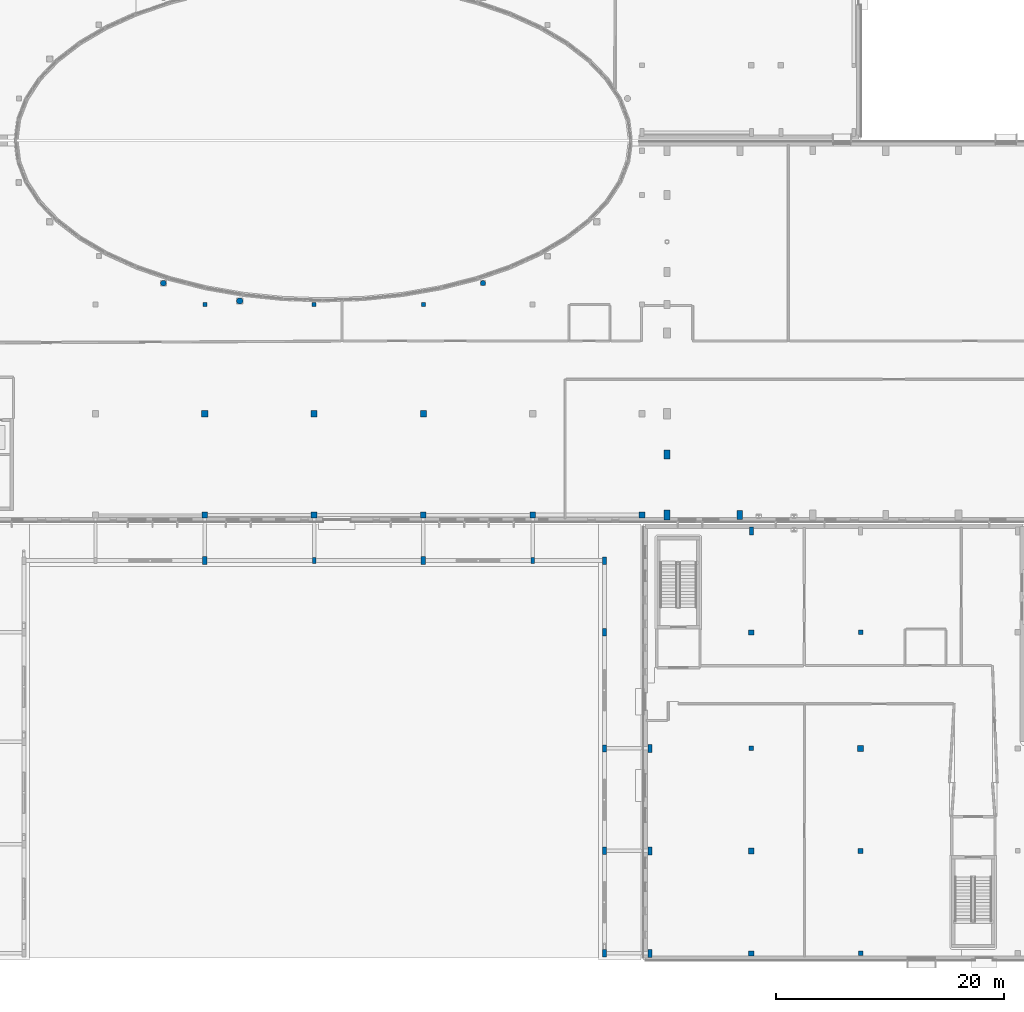
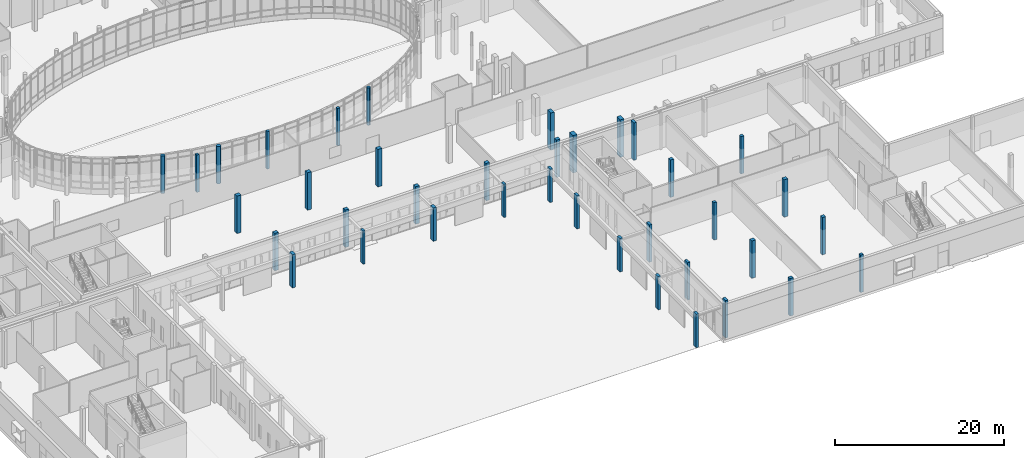
# One storey, part 3 of 84: 38 columns.
"""IFC4 building model written with IfcOpenShell, lengths in metres."""

from ifc_helpers import new_model, si_unit, direction, frame, origin, origin_2d, place, context, subcontext, project, spatial, rectangle, circle, extrude, material, material_profile, profile_set, type_object, element, save


model = new_model("IFC4")

# Units and contexts
model_context = context("Model", 3, precision=1e-05, world=origin(), true_north=direction((0.0, 1.0)))
body_context = subcontext(model_context, "Body", "Model", "MODEL_VIEW")
ifc_project = project(units=[si_unit("LENGTHUNIT", "METRE"), si_unit("AREAUNIT", "SQUARE_METRE"), si_unit("VOLUMEUNIT", "CUBIC_METRE"), si_unit("PLANEANGLEUNIT", "RADIAN"), si_unit("MASSUNIT", "GRAM", prefix="KILO")], contexts=[model_context])

# Site, building, storey
site_placement = place(None, origin())
site = spatial("IfcSite", under=ifc_project, at=site_placement, CompositionType="ELEMENT")
building_placement = place(site_placement, origin())
building = spatial("IfcBuilding", under=site, at=building_placement, Name="Mzevani Central Library", CompositionType="ELEMENT")
storey_placement = place(building_placement, origin())
storey = spatial("IfcBuildingStorey", under=building, at=storey_placement, Name="L00", CompositionType="ELEMENT", Elevation=0.0)

# Columns
ifc_material_1 = material(Name="Precast concrete C40/50", Category="concrete")
ifc_material_profile_1 = material_profile(ifc_material_1, rectangle(XDim=0.300048828125, YDim=0.550048828125, at=origin_2d()), Name="PC PIL 300x550")
ifc_profile_set_1 = profile_set([ifc_material_profile_1], Name="Precast concrete C40/50")
column_type_1 = type_object("IfcColumnType", Name="Colonnade Pilaster 300x550", PredefinedType="PILASTER", material=ifc_profile_set_1)
for number, where, z_axis, x_axis, name in (
    (1, (83.199951171875, 39.10009765625, 0.0), (0.0, 0.0, 1.0), (1.0, 0.0, 0.0), "L00 Mzevani Square Colonnade Pier 13"),
    (2, (102.39990234375, 39.10009765625, 0.0), (0.0, 0.0, 1.0), (1.0, 0.0, 0.0), "L00 Mzevani Square Colonnade Pier 15"),
):
    element("IfcColumn", number, at=place(storey_placement, frame(where, z_axis=z_axis, x_axis=x_axis)), inside=storey, type_object=column_type_1, Name=name, PredefinedType="PILASTER", context=body_context, shape_type="SweptSolid", body=[
        extrude(rectangle(XDim=0.300048828125, YDim=0.550048828125, at=origin_2d()), origin(), (0.0, 0.0, 1.0), 4.800048828125),
    ])
ifc_material_profile_2 = material_profile(ifc_material_1, rectangle(XDim=0.35009765625, YDim=0.64990234375, at=origin_2d()), Name="PC PIL 350x650")
ifc_profile_set_2 = profile_set([ifc_material_profile_2], Name="Precast concrete C40/50")
column_type_2 = type_object("IfcColumnType", Name="Colonnade Pilaster 350x650", PredefinedType="PILASTER", material=ifc_profile_set_2)
for number, where, z_axis, x_axis, name in (
    (3, (108.699951171875, 4.60009765625, 0.0), (0.0, 0.0, 1.0), (1.0, 0.0, 0.0), "L00 Mzevani Square Colonnade Pier 06"),
    (4, (108.699951171875, 13.60009765625, 0.0), (0.0, 0.0, 1.0), (1.0, 0.0, 0.0), "L00 Mzevani Square Colonnade Pier 07"),
    (5, (108.699951171875, 22.60009765625, 0.0), (0.0, 0.0, 1.0), (1.0, 0.0, 0.0), "L00 Mzevani Square Colonnade Pier 08"),
    (6, (108.699951171875, 32.800048828125, 0.0), (0.0, 0.0, 1.0), (1.0, 0.0, 0.0), "L00 Mzevani Square Colonnade Pier 09"),
    (7, (108.699951171875, 39.10009765625, 0.0), (0.0, 0.0, 1.0), (1.0, 0.0, 0.0), "L00 Mzevani Square Colonnade Pier 10"),
):
    element("IfcColumn", number, at=place(storey_placement, frame(where, z_axis=z_axis, x_axis=x_axis)), inside=storey, type_object=column_type_2, Name=name, PredefinedType="PILASTER", context=body_context, shape_type="SweptSolid", body=[
        extrude(rectangle(XDim=0.35009765625, YDim=0.64990234375, at=origin_2d()), origin(), (0.0, 0.0, 1.0), 4.800048828125),
    ])
ifc_material_profile_3 = material_profile(ifc_material_1, rectangle(XDim=0.39990234375, YDim=0.699951171875, at=origin_2d()), Name="PC PIL 400x700")
ifc_profile_set_3 = profile_set([ifc_material_profile_3], Name="Precast concrete C40/50")
column_type_3 = type_object("IfcColumnType", Name="Colonnade Pilaster 400x700", PredefinedType="PILASTER", material=ifc_profile_set_3)
for number, where, z_axis, x_axis, name in (
    (8, (73.60009765625, 39.10009765625, 0.0), (0.0, 0.0, 1.0), (1.0, 0.0, 0.0), "L00 Mzevani Square Colonnade Pier 12"),
    (9, (92.800048828125, 39.10009765625, 0.0), (0.0, 0.0, 1.0), (1.0, 0.0, 0.0), "L00 Mzevani Square Colonnade Pier 14"),
):
    element("IfcColumn", number, at=place(storey_placement, frame(where, z_axis=z_axis, x_axis=x_axis)), inside=storey, type_object=column_type_3, Name=name, PredefinedType="PILASTER", context=body_context, shape_type="SweptSolid", body=[
        extrude(rectangle(XDim=0.39990234375, YDim=0.699951171875, at=origin_2d()), origin(), (0.0, 0.0, 1.0), 4.800048828125),
    ])
ifc_material_2 = material(Name="Concrete C40/50", Category="concrete")
ifc_material_profile_4 = material_profile(ifc_material_2, rectangle(XDim=0.35009765625, YDim=0.35009765625, at=origin_2d()), Name="RC 350x350")
ifc_profile_set_4 = profile_set([ifc_material_profile_4], Name="Concrete C40/50")
column_type_4 = type_object("IfcColumnType", Name="Column RC 350x350", PredefinedType="COLUMN", material=ifc_profile_set_4)
for number, where, z_axis, x_axis, name in (
    (10, (73.60009765625, 61.60009765625, 0.0), (0.0, 0.0, 1.0), (1.0, 0.0, 0.0), "L00 V1 Column C-01 (12)"),
    (11, (83.199951171875, 61.60009765625, 0.0), (0.0, 0.0, 1.0), (1.0, 0.0, 0.0), "L00 V1 Column C-01 (15)"),
    (12, (92.800048828125, 61.60009765625, 0.0), (0.0, 0.0, 1.0), (1.0, 0.0, 0.0), "L00 V1 Column C-01 (18)"),
):
    element("IfcColumn", number, at=place(storey_placement, frame(where, z_axis=z_axis, x_axis=x_axis)), inside=storey, type_object=column_type_4, Name=name, PredefinedType="COLUMN", context=body_context, shape_type="SweptSolid", body=[
        extrude(rectangle(XDim=0.35009765625, YDim=0.35009765625, at=origin_2d()), origin(), (0.0, 0.0, 1.0), 5.39990234375),
    ])
ifc_material_profile_5 = material_profile(ifc_material_2, rectangle(XDim=0.39990234375, YDim=0.39990234375, at=origin_2d()), Name="RC 400x400")
ifc_profile_set_5 = profile_set([ifc_material_profile_5], Name="Concrete C40/50")
column_type_5 = type_object("IfcColumnType", Name="Column RC 400x400", PredefinedType="COLUMN", material=ifc_profile_set_5)
for number, where, z_axis, x_axis, name in (
    (13, (121.60009765625, 22.60009765625, 0.0), (0.0, 0.0, 1.0), (1.0, 0.0, 0.0), "L00 V6 Column C-02 (216)"),
    (14, (131.199951171875, 4.60009765625, 0.0), (0.0, 0.0, 1.0), (1.0, 0.0, 0.0), "L00 V6 Column C-02 (219)"),
    (15, (131.199951171875, 32.800048828125, 0.0), (0.0, 0.0, 1.0), (1.0, 0.0, 0.0), "L00 V6 Column C-02 (222)"),
):
    element("IfcColumn", number, at=place(storey_placement, frame(where, z_axis=z_axis, x_axis=x_axis)), inside=storey, type_object=column_type_5, Name=name, PredefinedType="COLUMN", context=body_context, shape_type="SweptSolid", body=[
        extrude(rectangle(XDim=0.39990234375, YDim=0.39990234375, at=origin_2d()), origin(), (0.0, 0.0, 1.0), 5.39990234375),
    ])
ifc_material_profile_6 = material_profile(ifc_material_2, rectangle(XDim=0.449951171875, YDim=0.449951171875, at=origin_2d()), Name="RC 450x450")
ifc_profile_set_6 = profile_set([ifc_material_profile_6], Name="Concrete C40/50")
column_type_6 = type_object("IfcColumnType", Name="Column RC 450x450", PredefinedType="COLUMN", material=ifc_profile_set_6)
for number, where, z_axis, x_axis, name in (
    (16, (121.60009765625, 4.60009765625, 0.0), (0.0, 0.0, 1.0), (1.0, 0.0, 0.0), "L00 V6 Column C-03 (214)"),
    (17, (121.60009765625, 32.800048828125, 0.0), (0.0, 0.0, 1.0), (1.0, 0.0, 0.0), "L00 V6 Column C-03 (217)"),
    (18, (131.199951171875, 13.60009765625, 0.0), (0.0, 0.0, 1.0), (1.0, 0.0, 0.0), "L00 V6 Column C-03 (220)"),
):
    element("IfcColumn", number, at=place(storey_placement, frame(where, z_axis=z_axis, x_axis=x_axis)), inside=storey, type_object=column_type_6, Name=name, PredefinedType="COLUMN", context=body_context, shape_type="SweptSolid", body=[
        extrude(rectangle(XDim=0.449951171875, YDim=0.449951171875, at=origin_2d()), origin(), (0.0, 0.0, 1.0), 5.39990234375),
    ])
ifc_material_profile_7 = material_profile(ifc_material_2, rectangle(XDim=0.5, YDim=0.5, at=origin_2d()), Name="RC 500x500")
ifc_profile_set_7 = profile_set([ifc_material_profile_7], Name="Concrete C40/50")
column_type_7 = type_object("IfcColumnType", Name="Column RC 500x500", PredefinedType="COLUMN", material=ifc_profile_set_7)
for number, where, z_axis, x_axis, name in (
    (19, (73.60009765625, 43.10009765625, 0.0), (0.0, 0.0, 1.0), (1.0, 0.0, 0.0), "L00 V1 Column C-04 (10)"),
    (20, (83.199951171875, 43.10009765625, 0.0), (0.0, 0.0, 1.0), (1.0, 0.0, 0.0), "L00 V1 Column C-04 (13)"),
    (21, (92.800048828125, 43.10009765625, 0.0), (0.0, 0.0, 1.0), (1.0, 0.0, 0.0), "L00 V1 Column C-04 (16)"),
    (22, (102.39990234375, 43.10009765625, 0.0), (0.0, 0.0, 1.0), (1.0, 0.0, 0.0), "L00 V1 Column C-04 (19)"),
    (23, (112.0, 43.10009765625, 0.0), (0.0, 0.0, 1.0), (1.0, 0.0, 0.0), "L00 V1 Column C-04 (22)"),
    (24, (121.60009765625, 13.60009765625, 0.0), (0.0, 0.0, 1.0), (1.0, 0.0, 0.0), "L00 V6 Column C-04 (215)"),
    (25, (131.199951171875, 22.60009765625, 0.0), (0.0, 0.0, 1.0), (1.0, 0.0, 0.0), "L00 V6 Column C-04 (221)"),
):
    element("IfcColumn", number, at=place(storey_placement, frame(where, z_axis=z_axis, x_axis=x_axis)), inside=storey, type_object=column_type_7, Name=name, PredefinedType="COLUMN", context=body_context, shape_type="SweptSolid", body=[
        extrude(rectangle(XDim=0.5, YDim=0.5, at=origin_2d()), origin(), (0.0, 0.0, 1.0), 5.39990234375),
    ])
ifc_material_profile_8 = material_profile(ifc_material_2, rectangle(XDim=0.5, YDim=0.800048828125, at=origin_2d()), Name="RC 500x800")
ifc_profile_set_8 = profile_set([ifc_material_profile_8], Name="Concrete C40/50")
column_type_8 = type_object("IfcColumnType", Name="Column RC 500x800", PredefinedType="COLUMN", material=ifc_profile_set_8)
for number, where, z_axis, x_axis, name in (
    (26, (120.60009765625, 43.10009765625, 0.0), (0.0, 0.0, 1.0), (1.0, 0.0, 0.0), "L00 V1 Column C-15 (38)"),
    (27, (114.199951171875, 48.43310546875, 0.0), (0.0, 0.0, 1.0), (1.0, 0.0, 0.0), "L00 V1 Column C-15 (50)"),
):
    element("IfcColumn", number, at=place(storey_placement, frame(where, z_axis=z_axis, x_axis=x_axis)), inside=storey, type_object=column_type_8, Name=name, PredefinedType="COLUMN", context=body_context, shape_type="SweptSolid", body=[
        extrude(rectangle(XDim=0.5, YDim=0.800048828125, at=origin_2d()), origin(), (0.0, 0.0, 1.0), 5.39990234375),
    ])
ifc_material_profile_9 = material_profile(ifc_material_2, rectangle(XDim=0.550048828125, YDim=0.550048828125, at=origin_2d()), Name="RC 550x550")
ifc_profile_set_9 = profile_set([ifc_material_profile_9], Name="Concrete C40/50")
column_type_9 = type_object("IfcColumnType", Name="Column RC 550x550", PredefinedType="COLUMN", material=ifc_profile_set_9)
for number, where, z_axis, x_axis, name in (
    (28, (73.60009765625, 52.0, 0.0), (0.0, 0.0, 1.0), (1.0, 0.0, 0.0), "L00 V1 Column C-05 (11)"),
    (29, (83.199951171875, 52.0, 0.0), (0.0, 0.0, 1.0), (1.0, 0.0, 0.0), "L00 V1 Column C-05 (14)"),
    (30, (92.800048828125, 52.0, 0.0), (0.0, 0.0, 1.0), (1.0, 0.0, 0.0), "L00 V1 Column C-05 (17)"),
):
    element("IfcColumn", number, at=place(storey_placement, frame(where, z_axis=z_axis, x_axis=x_axis)), inside=storey, type_object=column_type_9, Name=name, PredefinedType="COLUMN", context=body_context, shape_type="SweptSolid", body=[
        extrude(rectangle(XDim=0.550048828125, YDim=0.550048828125, at=origin_2d()), origin(), (0.0, 0.0, 1.0), 5.39990234375),
    ])
ifc_material_profile_10 = material_profile(ifc_material_2, rectangle(XDim=0.550048828125, YDim=0.85009765625, at=origin_2d()), Name="RC 550x850")
ifc_profile_set_10 = profile_set([ifc_material_profile_10], Name="Concrete C40/50")
column_type_10 = type_object("IfcColumnType", Name="Column RC 550x850", PredefinedType="COLUMN", material=ifc_profile_set_10)
column_1_placement = place(storey_placement, frame((114.199951171875, 43.10009765625, 0.0), z_axis=(0.0, 0.0, 1.0), x_axis=(1.0, 0.0, 0.0)))
element("IfcColumn", 31, at=column_1_placement, inside=storey, type_object=column_type_10, Name="L00 V1 Column C-16 (27)", PredefinedType="COLUMN", context=body_context, shape_type="SweptSolid", body=[
    extrude(rectangle(XDim=0.550048828125, YDim=0.85009765625, at=origin_2d()), origin(), (0.0, 0.0, 1.0), 5.39990234375),
])
ifc_material_profile_11 = material_profile(ifc_material_2, circle(Radius=0.22509765625, at=origin_2d()), Name="RC D450")
ifc_profile_set_11 = profile_set([ifc_material_profile_11], Name="Concrete C40/50")
column_type_11 = type_object("IfcColumnType", Name="Court Column RC D450", PredefinedType="COLUMN", material=ifc_profile_set_11)
column_2_placement = place(storey_placement, frame((98.033935546875, 63.471923828125, 0.0), z_axis=(0.0, 0.0, 1.0), x_axis=(1.0, 0.0, 0.0)))
element("IfcColumn", 32, at=column_2_placement, inside=storey, type_object=column_type_11, Name="L00 V1 Column CC-02 (60)", PredefinedType="COLUMN", context=body_context, shape_type="SweptSolid", body=[
    extrude(circle(Radius=0.22509765625, at=origin_2d()), origin(), (0.0, 0.0, 1.0), 5.39990234375),
])
ifc_material_profile_12 = material_profile(ifc_material_2, circle(Radius=0.25, at=origin_2d()), Name="RC D500")
ifc_profile_set_12 = profile_set([ifc_material_profile_12], Name="Concrete C40/50")
column_type_12 = type_object("IfcColumnType", Name="Court Column RC D500", PredefinedType="COLUMN", material=ifc_profile_set_12)
column_3_placement = place(storey_placement, frame((69.966064453125, 63.471923828125, 0.0), z_axis=(0.0, 0.0, 1.0), x_axis=(1.0, 0.0, 0.0)))
element("IfcColumn", 33, at=column_3_placement, inside=storey, type_object=column_type_12, Name="L00 V1 Column CC-03 (58)", PredefinedType="COLUMN", context=body_context, shape_type="SweptSolid", body=[
    extrude(circle(Radius=0.25, at=origin_2d()), origin(), (0.0, 0.0, 1.0), 5.39990234375),
])
ifc_material_profile_13 = material_profile(ifc_material_2, circle(Radius=0.27490234375, at=origin_2d()), Name="RC D550")
ifc_profile_set_13 = profile_set([ifc_material_profile_13], Name="Concrete C40/50")
column_type_13 = type_object("IfcColumnType", Name="Court Column RC D550", PredefinedType="COLUMN", material=ifc_profile_set_13)
column_4_placement = place(storey_placement, frame((76.672119140625, 61.904052734375, 0.0), z_axis=(0.0, 0.0, 1.0), x_axis=(1.0, 0.0, 0.0)))
element("IfcColumn", 34, at=column_4_placement, inside=storey, type_object=column_type_13, Name="L00 V1 Column CC-04 (59)", PredefinedType="COLUMN", context=body_context, shape_type="SweptSolid", body=[
    extrude(circle(Radius=0.27490234375, at=origin_2d()), origin(), (0.0, 0.0, 1.0), 5.39990234375),
])
ifc_material_profile_14 = material_profile(ifc_material_2, rectangle(XDim=0.35009765625, YDim=0.699951171875, at=origin_2d()), Name="RC 350x700")
ifc_profile_set_14 = profile_set([ifc_material_profile_14], Name="Concrete C40/50")
column_type_14 = type_object("IfcColumnType", Name="Joint Twin Column RC 350x700", PredefinedType="COLUMN", material=ifc_profile_set_14)
for number, where, z_axis, x_axis, name in (
    (35, (112.699951171875, 4.60009765625, 0.0), (0.0, 0.0, 1.0), (1.0, 0.0, 0.0), "L00 V6 Column C-18 (211)"),
    (36, (112.699951171875, 13.60009765625, 0.0), (0.0, 0.0, 1.0), (1.0, 0.0, 0.0), "L00 V6 Column C-18 (212)"),
    (37, (112.699951171875, 22.60009765625, 0.0), (0.0, 0.0, 1.0), (1.0, 0.0, 0.0), "L00 V6 Column C-18 (213)"),
    (38, (121.60009765625, 41.699951171875, 0.0), (0.0, 0.0, 1.0), (1.0, 0.0, 0.0), "L00 V6 Column C-18 (218)"),
):
    element("IfcColumn", number, at=place(storey_placement, frame(where, z_axis=z_axis, x_axis=x_axis)), inside=storey, type_object=column_type_14, Name=name, PredefinedType="COLUMN", context=body_context, shape_type="SweptSolid", body=[
        extrude(rectangle(XDim=0.35009765625, YDim=0.699951171875, at=origin_2d()), origin(), (0.0, 0.0, 1.0), 5.39990234375),
    ])

save(model, "model.ifc")
